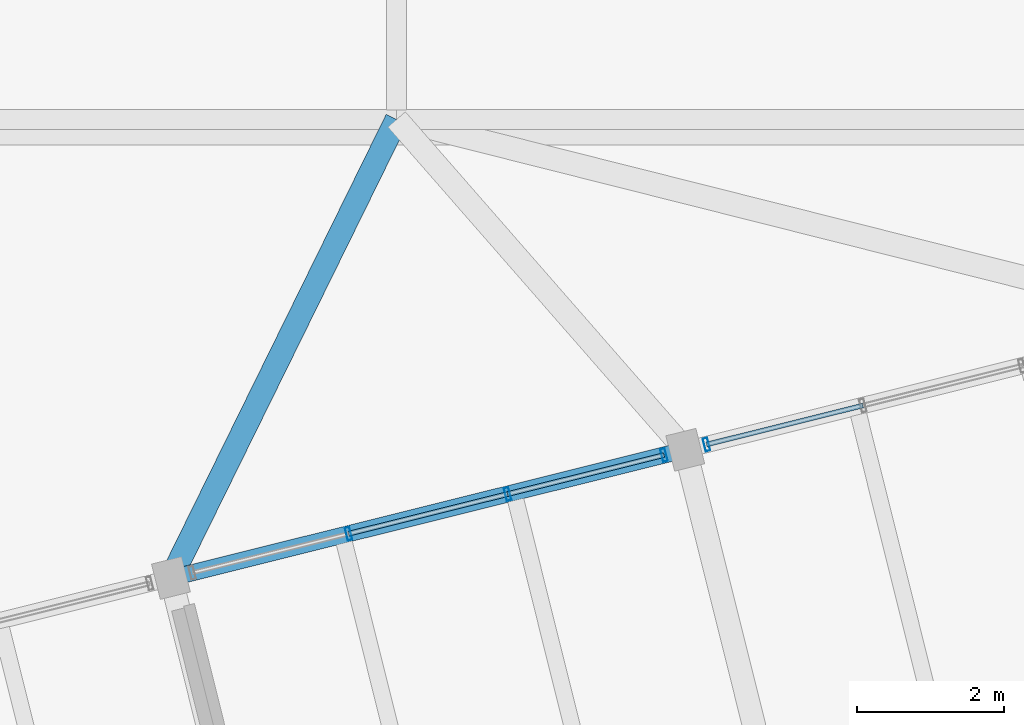
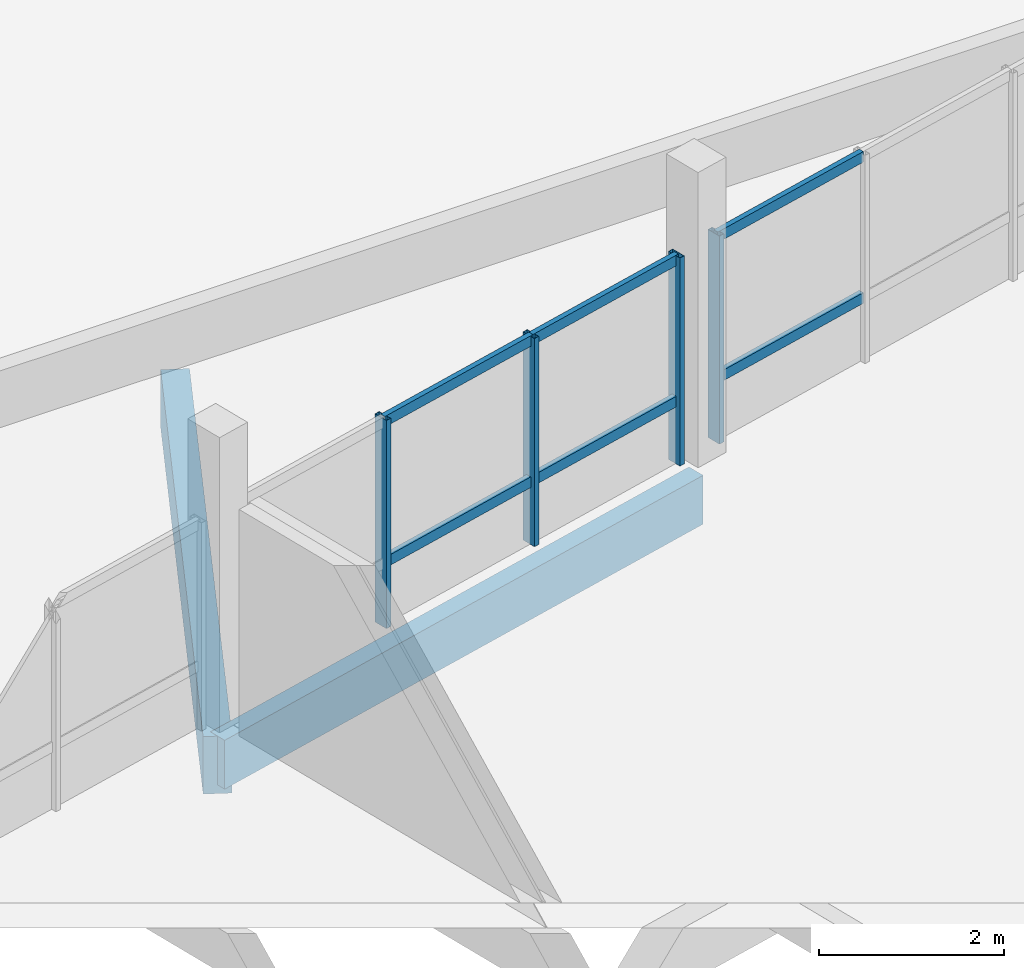
# One storey, part 23 of 37: 10 members, 2 beams, 2 elements without a shape of their own.
"""IFC4 building model written with IfcOpenShell, lengths in metres."""

from ifc_helpers import new_model, si_unit, direction, frame, origin, origin_2d, place, context, subcontext, project, spatial, rectangle, hollow_rectangle, extrude, material, layer, layer_set, material_profile, profile_set, type_object, element, aggregate, save


model = new_model("IFC4")

# Units and contexts
model_context = context("Model", 3, precision=1e-05, world=origin(), true_north=direction((0.0, 1.0)))
body_context = subcontext(model_context, "Body", "Model", "MODEL_VIEW")
ifc_project = project(units=[si_unit("LENGTHUNIT", "METRE"), si_unit("AREAUNIT", "SQUARE_METRE"), si_unit("VOLUMEUNIT", "CUBIC_METRE"), si_unit("PLANEANGLEUNIT", "RADIAN"), si_unit("MASSUNIT", "GRAM", prefix="KILO")], contexts=[model_context])

# Site, building, storey
site_placement = place(None, origin())
site = spatial("IfcSite", under=ifc_project, at=site_placement, CompositionType="ELEMENT")
building_placement = place(site_placement, origin())
building = spatial("IfcBuilding", under=site, at=building_placement, Name="Meriwether Solvik Hall", CompositionType="ELEMENT")
storey_placement = place(building_placement, frame((0.0, 0.0, 26.10009765625)))
storey = spatial("IfcBuildingStorey", under=building, at=storey_placement, Name="L06", CompositionType="ELEMENT", Elevation=26.10009765625)

# Beams
ifc_material_1 = material(Name="Glulam Douglas-Fir 24F-V8 GL28h", Category="wood")
ifc_material_profile_1 = material_profile(ifc_material_1, rectangle(XDim=0.221923828125, YDim=0.64501953125, at=origin_2d()), Name="GLB-222X645")
ifc_profile_set_1 = profile_set([ifc_material_profile_1], Name="Glulam Douglas-Fir 24F-V8 GL28h")
beam_type_1 = type_object("IfcBeamType", Name="BM-GL-222X645", PredefinedType="SPANDREL", material=ifc_profile_set_1)
beam_1_placement = place(storey_placement, frame((74.735107421875, 77.7705078125, -0.592529296875), z_axis=(0.970291911955, 0.241937193493, 0.0), x_axis=(-0.241937193493, 0.970291911955, 0.0)))
element("IfcBeam", 1, at=beam_1_placement, inside=storey, type_object=beam_type_1, Name="Tower Girder TF:T3-T4 (L06)", PredefinedType="SPANDREL", context=body_context, shape_type="SweptSolid", body=[
    extrude(rectangle(XDim=0.221923828125, YDim=0.64501953125, at=origin_2d()), origin(), (0.0, 0.0, 1.0), 7.199951171875),
])
ifc_material_2 = material(Name="Glulam Douglas-Fir 24F-V8 GL28h", Category="wood")
ifc_material_profile_2 = material_profile(ifc_material_2, rectangle(XDim=0.31494140625, YDim=0.760009765625, at=origin_2d()), Name="GLB-315X760")
ifc_profile_set_2 = profile_set([ifc_material_profile_2], Name="Glulam Douglas-Fir 24F-V8 GL28h")
beam_type_2 = type_object("IfcBeamType", Name="BM-GL-315X760", PredefinedType="BEAM", material=ifc_profile_set_2)
beam_2_placement = place(storey_placement, frame((74.735107421875, 77.7705078125, -0.650146484375), z_axis=(0.44146540955, 0.897278269084, 0.0), x_axis=(-0.897278269084, 0.44146540955, 0.0)))
element("IfcBeam", 2, at=beam_2_placement, inside=storey, type_object=beam_type_2, Name="Diaphragm Collector Girder T3/TF-9/J (L06)", PredefinedType="BEAM", context=body_context, shape_type="SweptSolid", body=[
    extrude(rectangle(XDim=0.31494140625, YDim=0.760009765625, at=origin_2d()), origin(), (0.0, 0.0, 1.0), 6.942626953125),
])

# Curtain wall, members
ifc_material_3 = material(Name="Thermally Broken Anodised Aluminium 6063-T6 and Low-E Glass", Category="aluminium")
ifc_layer_1 = layer(ifc_material_3, 0.179931640625)
ifc_layer_set_1 = layer_set([ifc_layer_1], Name="Thermally Broken Anodised Aluminium 6063-T6 and Low-E Glass")
curtain_wall_type_1 = type_object("IfcCurtainWallType", Name="CW-UNIT-C", PredefinedType="USERDEFINED", material=ifc_layer_set_1)
curtain_wall_1_placement = place(storey_placement, origin())
curtain_wall_1 = element("IfcCurtainWall", 3, at=curtain_wall_1_placement, inside=storey, type_object=curtain_wall_type_1, Name="Curtain Wall E4_B2 (L06)", ObjectType="UNITISED CURTAIN WALL", PredefinedType="USERDEFINED")
ifc_material_4 = material(Name="Anodised Aluminium 6063-T6", Category="aluminium")
ifc_material_profile_3 = material_profile(ifc_material_4, hollow_rectangle(XDim=0.06494140625, YDim=0.179931640625, WallThickness=0.00439453125, at=origin_2d()), Name="CWM-65X180")
ifc_profile_set_3 = profile_set([ifc_material_profile_3], Name="Anodised Aluminium 6063-T6")
member_type_1 = type_object("IfcMemberType", Name="CW-MUL-65X180", PredefinedType="MULLION", material=ifc_profile_set_3)
member_1_placement = place(storey_placement, frame((77.147705078125, 78.3720703125, 0.0), z_axis=(0.0, 0.0, 1.0), x_axis=(0.970295699836, 0.241922001646, 0.0)))
member_1 = element("IfcMember", 4, at=member_1_placement, type_object=member_type_1, Name="Curtain Wall Mullion 2", PredefinedType="MULLION", context=body_context, shape_type="SweptSolid", body=[
    extrude(hollow_rectangle(XDim=0.06494140625, YDim=0.179931640625, WallThickness=0.00439453125, at=origin_2d()), origin(), (0.0, 0.0, 1.0), 2.75),
])
member_2_placement = place(storey_placement, frame((79.30859375, 78.910888671875, 0.0), z_axis=(0.0, 0.0, 1.0), x_axis=(0.970295699836, 0.241922001646, 0.0)))
member_2 = element("IfcMember", 5, at=member_2_placement, type_object=member_type_1, Name="Curtain Wall Mullion 3", PredefinedType="MULLION", context=body_context, shape_type="SweptSolid", body=[
    extrude(hollow_rectangle(XDim=0.06494140625, YDim=0.179931640625, WallThickness=0.00439453125, at=origin_2d()), origin(), (0.0, 0.0, 1.0), 2.75),
])
member_3_placement = place(storey_placement, frame((81.4326171875, 79.4404296875, 0.0), z_axis=(0.0, 0.0, 1.0), x_axis=(0.970295699836, 0.241922001646, 0.0)))
member_3 = element("IfcMember", 6, at=member_3_placement, type_object=member_type_1, Name="Curtain Wall Mullion 4", PredefinedType="MULLION", context=body_context, shape_type="SweptSolid", body=[
    extrude(hollow_rectangle(XDim=0.06494140625, YDim=0.179931640625, WallThickness=0.00439453125, at=origin_2d()), origin(), (0.0, 0.0, 1.0), 2.75),
])

# Curtain wall, member
ifc_material_5 = material(Name="Thermally Broken Anodised Aluminium 6063-T6 and Low-E Glass", Category="aluminium")
ifc_layer_2 = layer(ifc_material_5, 0.179931640625)
ifc_layer_set_2 = layer_set([ifc_layer_2], Name="Thermally Broken Anodised Aluminium 6063-T6 and Low-E Glass")
curtain_wall_type_2 = type_object("IfcCurtainWallType", Name="CW-UNIT-D", PredefinedType="USERDEFINED", material=ifc_layer_set_2)
curtain_wall_2_placement = place(storey_placement, origin())
curtain_wall_2 = element("IfcCurtainWall", 7, at=curtain_wall_2_placement, inside=storey, type_object=curtain_wall_type_2, Name="Curtain Wall E4_B3 (L06)", ObjectType="UNITISED CURTAIN WALL", PredefinedType="USERDEFINED")
member_4_placement = place(storey_placement, frame((82.009765625, 79.584228515625, 0.0), z_axis=(0.0, 0.0, 1.0), x_axis=(0.970295734974, 0.241921860714, 0.0)))
member_4 = element("IfcMember", 8, at=member_4_placement, type_object=member_type_1, Name="Curtain Wall Mullion 1", PredefinedType="MULLION", context=body_context, shape_type="SweptSolid", body=[
    extrude(hollow_rectangle(XDim=0.06494140625, YDim=0.179931640625, WallThickness=0.00439453125, at=origin_2d()), origin(), (0.0, 0.0, 1.0), 2.75),
])

# Member
ifc_material_6 = material(Name="Anodised Aluminium 6063-T6", Category="aluminium")
ifc_material_profile_4 = material_profile(ifc_material_6, hollow_rectangle(XDim=0.06494140625, YDim=0.139892578125, WallThickness=0.00439453125, at=origin_2d()), Name="CWT-65X140")
ifc_profile_set_4 = profile_set([ifc_material_profile_4], Name="Anodised Aluminium 6063-T6")
member_type_2 = type_object("IfcMemberType", Name="CW-TRN-65X140", PredefinedType="USERDEFINED", material=ifc_profile_set_4)
member_5_placement = place(storey_placement, frame((77.147705078125, 78.3720703125, 0.824951171875), z_axis=(0.970290634888, 0.241942315128, 0.0), x_axis=(-0.241942315128, 0.970290634888, 0.0)))
member_5 = element("IfcMember", 9, at=member_5_placement, type_object=member_type_2, Name="Curtain Wall Transom 2-sill", ObjectType="TRANSOM", PredefinedType="USERDEFINED", context=body_context, shape_type="SweptSolid", body=[
    extrude(hollow_rectangle(XDim=0.06494140625, YDim=0.139892578125, WallThickness=0.00439453125, at=origin_2d()), origin(), (0.0, 0.0, 1.0), 2.22705078125),
])

member_6_placement = place(storey_placement, frame((77.147705078125, 78.3720703125, 2.68994140625), z_axis=(0.970290634888, 0.241942315128, 0.0), x_axis=(-0.241942315128, 0.970290634888, 0.0)))
member_6 = element("IfcMember", 10, at=member_6_placement, type_object=member_type_2, Name="Curtain Wall Transom 2-head", ObjectType="TRANSOM", PredefinedType="USERDEFINED", context=body_context, shape_type="SweptSolid", body=[
    extrude(hollow_rectangle(XDim=0.06494140625, YDim=0.139892578125, WallThickness=0.00439453125, at=origin_2d()), origin(), (0.0, 0.0, 1.0), 2.22705078125),
])

member_7_placement = place(storey_placement, frame((79.30859375, 78.910888671875, 0.824951171875), z_axis=(0.970299748003, 0.241905764761, 0.0), x_axis=(-0.241905764761, 0.970299748003, 0.0)))
member_7 = element("IfcMember", 11, at=member_7_placement, type_object=member_type_2, Name="Curtain Wall Transom 3-sill", ObjectType="TRANSOM", PredefinedType="USERDEFINED", context=body_context, shape_type="SweptSolid", body=[
    extrude(hollow_rectangle(XDim=0.06494140625, YDim=0.139892578125, WallThickness=0.00439453125, at=origin_2d()), origin(), (0.0, 0.0, 1.0), 2.18896484375),
])

member_8_placement = place(storey_placement, frame((79.30859375, 78.910888671875, 2.68994140625), z_axis=(0.970299748003, 0.241905764761, 0.0), x_axis=(-0.241905764761, 0.970299748003, 0.0)))
member_8 = element("IfcMember", 12, at=member_8_placement, type_object=member_type_2, Name="Curtain Wall Transom 3-head", ObjectType="TRANSOM", PredefinedType="USERDEFINED", context=body_context, shape_type="SweptSolid", body=[
    extrude(hollow_rectangle(XDim=0.06494140625, YDim=0.139892578125, WallThickness=0.00439453125, at=origin_2d()), origin(), (0.0, 0.0, 1.0), 2.18896484375),
])

aggregate(curtain_wall_1, [member_1, member_2, member_3, member_5, member_6, member_7, member_8])

member_9_placement = place(storey_placement, frame((82.009765625, 79.584228515625, 0.824951171875), z_axis=(0.970299748003, 0.241905764761, 0.0), x_axis=(-0.241905764761, 0.970299748003, 0.0)))
member_9 = element("IfcMember", 13, at=member_9_placement, type_object=member_type_2, Name="Curtain Wall Transom 1-sill", ObjectType="TRANSOM", PredefinedType="USERDEFINED", context=body_context, shape_type="SweptSolid", body=[
    extrude(hollow_rectangle(XDim=0.06494140625, YDim=0.139892578125, WallThickness=0.00439453125, at=origin_2d()), origin(), (0.0, 0.0, 1.0), 2.18896484375),
])

member_10_placement = place(storey_placement, frame((82.009765625, 79.584228515625, 2.68994140625), z_axis=(0.970299748003, 0.241905764761, 0.0), x_axis=(-0.241905764761, 0.970299748003, 0.0)))
member_10 = element("IfcMember", 14, at=member_10_placement, type_object=member_type_2, Name="Curtain Wall Transom 1-head", ObjectType="TRANSOM", PredefinedType="USERDEFINED", context=body_context, shape_type="SweptSolid", body=[
    extrude(hollow_rectangle(XDim=0.06494140625, YDim=0.139892578125, WallThickness=0.00439453125, at=origin_2d()), origin(), (0.0, 0.0, 1.0), 2.18896484375),
])

aggregate(curtain_wall_2, [member_4, member_9, member_10])

save(model, "model.ifc")
